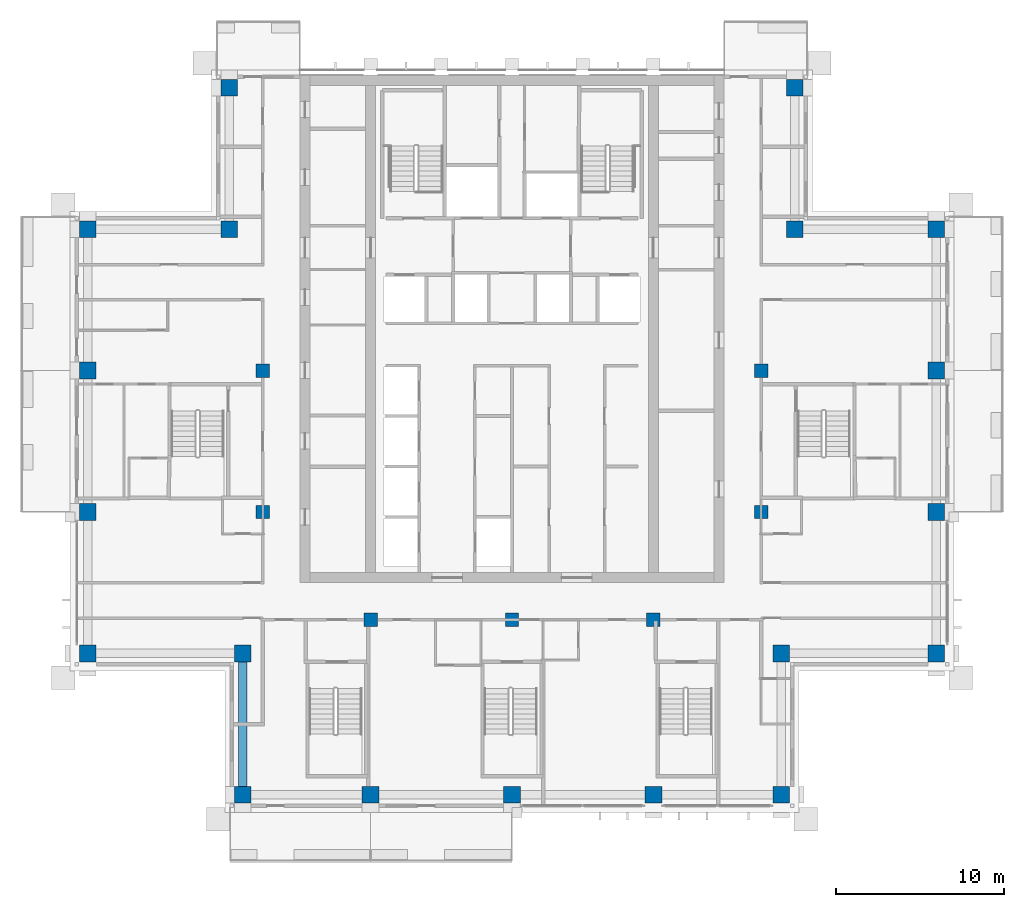
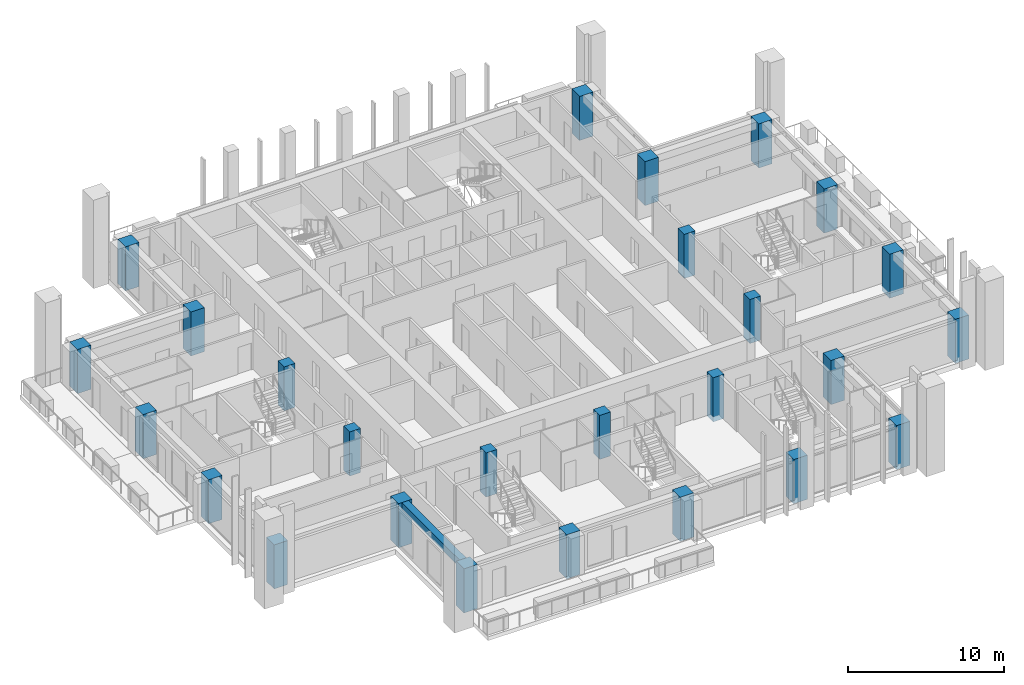
# One storey, part 1 of 17: 26 columns, 1 beam.
"""IFC4 building model written with IfcOpenShell, lengths in metres."""

from ifc_helpers import new_model, si_unit, direction, frame, origin, origin_2d, place, context, subcontext, project, spatial, rectangle, extrude, material, material_profile, profile_set, type_object, element, save


model = new_model("IFC4")

# Units and contexts
model_context = context("Model", 3, precision=1e-05, world=origin(), true_north=direction((0.0, 1.0)))
body_context = subcontext(model_context, "Body", "Model", "MODEL_VIEW")
ifc_project = project(units=[si_unit("LENGTHUNIT", "METRE"), si_unit("AREAUNIT", "SQUARE_METRE"), si_unit("VOLUMEUNIT", "CUBIC_METRE"), si_unit("PLANEANGLEUNIT", "RADIAN"), si_unit("MASSUNIT", "GRAM", prefix="KILO")], contexts=[model_context])

# Site, building, storey
site_placement = place(None, origin())
site = spatial("IfcSite", under=ifc_project, at=site_placement, CompositionType="ELEMENT")
building_placement = place(site_placement, origin())
building = spatial("IfcBuilding", under=site, at=building_placement, Name="Vermilion Ogive Tower", CompositionType="ELEMENT")
storey_placement = place(building_placement, frame((0.0, 0.0, 192.800048828125)))
storey = spatial("IfcBuildingStorey", under=building, at=storey_placement, Name="L50", CompositionType="ELEMENT", Elevation=192.800048828125)

# Columns
ifc_material_1 = material(Name="Concrete B60", Category="concrete")
ifc_material_profile_1 = material_profile(ifc_material_1, rectangle(XDim=1.0, YDim=1.0, at=origin_2d()), Name="1000 x 1000")
ifc_profile_set_1 = profile_set([ifc_material_profile_1], Name="Concrete B60")
column_type_1 = type_object("IfcColumnType", Name="Perimeter column 1000 x 1000 B60", PredefinedType="COLUMN", material=ifc_profile_set_1)
for number, where, z_axis, x_axis, name in (
    (1, (-16.0, -21.0, -0.400146484375), (0.0, 0.0, 1.0), (1.0, 0.0, 0.0), "COL-L50-P-0160-210"),
    (2, (-8.39990234375, -21.0, -0.400146484375), (0.0, 0.0, 1.0), (1.0, 0.0, 0.0), "COL-L50-P-0084-210"),
    (3, (0.0, -21.0, -0.400146484375), (0.0, 0.0, 1.0), (1.0, 0.0, 0.0), "COL-L50-P+0000-210"),
    (4, (8.39990234375, -21.0, -0.400146484375), (0.0, 0.0, 1.0), (1.0, 0.0, 0.0), "COL-L50-P+0084-210"),
    (5, (16.0, -21.0, -0.400146484375), (0.0, 0.0, 1.0), (1.0, 0.0, 0.0), "COL-L50-P+0160-210"),
    (6, (-25.199951171875, -12.60009765625, -0.400146484375), (0.0, 0.0, 1.0), (1.0, 0.0, 0.0), "COL-L50-P-0252-126"),
    (7, (-16.0, -12.60009765625, -0.400146484375), (0.0, 0.0, 1.0), (1.0, 0.0, 0.0), "COL-L50-P-0160-126"),
    (8, (16.0, -12.60009765625, -0.400146484375), (0.0, 0.0, 1.0), (1.0, 0.0, 0.0), "COL-L50-P+0160-126"),
    (9, (25.199951171875, -12.60009765625, -0.400146484375), (0.0, 0.0, 1.0), (1.0, 0.0, 0.0), "COL-L50-P+0252-126"),
    (10, (-25.199951171875, -4.199951171875, -0.400146484375), (0.0, 0.0, 1.0), (1.0, 0.0, 0.0), "COL-L50-P-0252-042"),
    (11, (25.199951171875, -4.199951171875, -0.400146484375), (0.0, 0.0, 1.0), (1.0, 0.0, 0.0), "COL-L50-P+0252-042"),
    (12, (-25.199951171875, 4.199951171875, -0.400146484375), (0.0, 0.0, 1.0), (1.0, 0.0, 0.0), "COL-L50-P-0252+042"),
    (13, (25.199951171875, 4.199951171875, -0.400146484375), (0.0, 0.0, 1.0), (1.0, 0.0, 0.0), "COL-L50-P+0252+042"),
    (14, (-25.199951171875, 12.60009765625, -0.400146484375), (0.0, 0.0, 1.0), (1.0, 0.0, 0.0), "COL-L50-P-0252+126"),
    (15, (-16.800048828125, 12.60009765625, -0.400146484375), (0.0, 0.0, 1.0), (1.0, 0.0, 0.0), "COL-L50-P-0168+126"),
    (16, (16.800048828125, 12.60009765625, -0.400146484375), (0.0, 0.0, 1.0), (1.0, 0.0, 0.0), "COL-L50-P+0168+126"),
    (17, (25.199951171875, 12.60009765625, -0.400146484375), (0.0, 0.0, 1.0), (1.0, 0.0, 0.0), "COL-L50-P+0252+126"),
    (18, (-16.800048828125, 21.0, -0.400146484375), (0.0, 0.0, 1.0), (1.0, 0.0, 0.0), "COL-L50-P-0168+210"),
    (19, (16.800048828125, 21.0, -0.400146484375), (0.0, 0.0, 1.0), (1.0, 0.0, 0.0), "COL-L50-P+0168+210"),
):
    element("IfcColumn", number, at=place(storey_placement, frame(where, z_axis=z_axis, x_axis=x_axis)), inside=storey, type_object=column_type_1, Name=name, PredefinedType="COLUMN", context=body_context, shape_type="SweptSolid", body=[
        extrude(rectangle(XDim=1.0, YDim=1.0, at=origin_2d()), origin(), (0.0, 0.0, 1.0), 3.4501953125),
    ])
ifc_material_2 = material(Name="Concrete B60", Category="concrete")
ifc_material_profile_2 = material_profile(ifc_material_2, rectangle(XDim=0.800048828125, YDim=0.800048828125, at=origin_2d()), Name="800 x 800")
ifc_profile_set_2 = profile_set([ifc_material_profile_2], Name="Concrete B60")
column_type_2 = type_object("IfcColumnType", Name="Ring column 800 x 800 B60", PredefinedType="COLUMN", material=ifc_profile_set_2)
for number, where, z_axis, x_axis, name in (
    (20, (-8.39990234375, -10.60009765625, -0.400146484375), (0.0, 0.0, 1.0), (1.0, 0.0, 0.0), "COL-L50-R-0084-106"),
    (21, (0.0, -10.60009765625, -0.400146484375), (0.0, 0.0, 1.0), (1.0, 0.0, 0.0), "COL-L50-R+0000-106"),
    (22, (8.39990234375, -10.60009765625, -0.400146484375), (0.0, 0.0, 1.0), (1.0, 0.0, 0.0), "COL-L50-R+0084-106"),
    (23, (-14.800048828125, -4.199951171875, -0.400146484375), (0.0, 0.0, 1.0), (1.0, 0.0, 0.0), "COL-L50-R-0148-042"),
    (24, (14.800048828125, -4.199951171875, -0.400146484375), (0.0, 0.0, 1.0), (1.0, 0.0, 0.0), "COL-L50-R+0148-042"),
    (25, (-14.800048828125, 4.199951171875, -0.400146484375), (0.0, 0.0, 1.0), (1.0, 0.0, 0.0), "COL-L50-R-0148+042"),
    (26, (14.800048828125, 4.199951171875, -0.400146484375), (0.0, 0.0, 1.0), (1.0, 0.0, 0.0), "COL-L50-R+0148+042"),
):
    element("IfcColumn", number, at=place(storey_placement, frame(where, z_axis=z_axis, x_axis=x_axis)), inside=storey, type_object=column_type_2, Name=name, PredefinedType="COLUMN", context=body_context, shape_type="SweptSolid", body=[
        extrude(rectangle(XDim=0.800048828125, YDim=0.800048828125, at=origin_2d()), origin(), (0.0, 0.0, 1.0), 3.4501953125),
    ])

# Beam
ifc_material_3 = material(Name="Concrete B45", Category="concrete")
ifc_material_profile_3 = material_profile(ifc_material_3, rectangle(XDim=0.5, YDim=0.550048828125, at=origin_2d()), Name="500 x 550")
ifc_profile_set_3 = profile_set([ifc_material_profile_3], Name="Concrete B45")
beam_type = type_object("IfcBeamType", Name="Edge beam 500 x 550 B45", PredefinedType="BEAM", material=ifc_profile_set_3)
beam_placement = place(storey_placement, frame((-16.0, -13.10009765625, 2.77490234375), z_axis=(0.0, -1.0, 0.0), x_axis=(1.0, 0.0, 0.0)))
element("IfcBeam", 27, at=beam_placement, inside=storey, type_object=beam_type, Name="L50-EB-18", PredefinedType="BEAM", context=body_context, shape_type="SweptSolid", body=[
    extrude(rectangle(XDim=0.5, YDim=0.550048828125, at=origin_2d()), origin(), (0.0, 0.0, 1.0), 7.39990234375),
])

save(model, "model.ifc")
